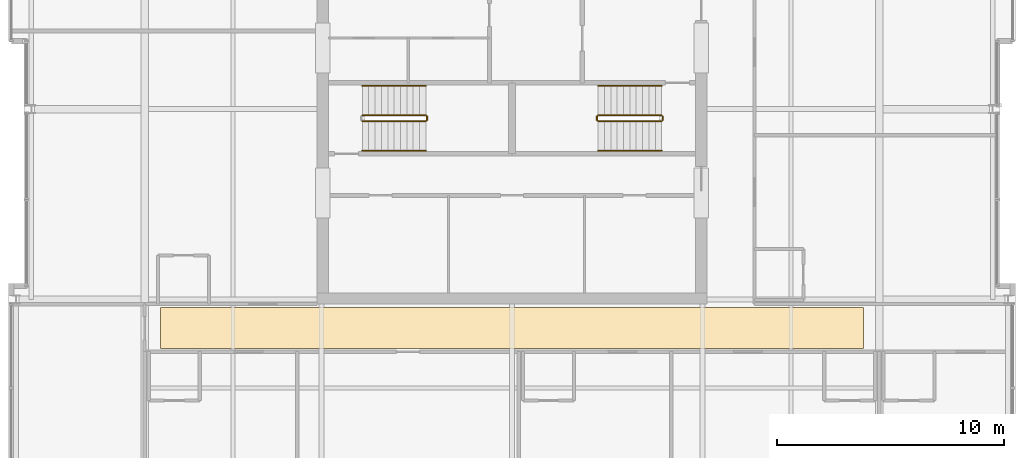
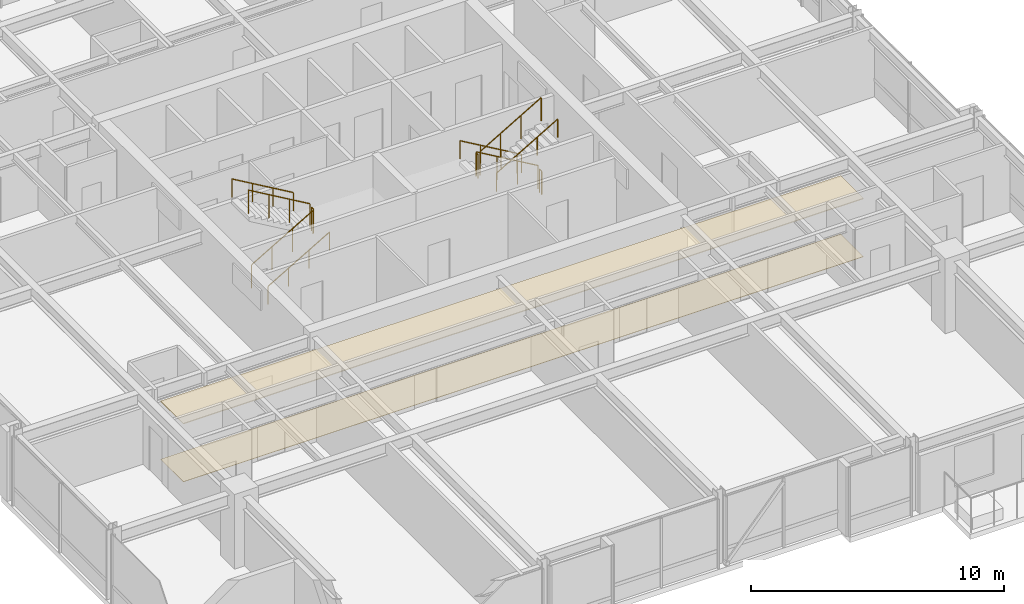
# One storey, part 31 of 32: 11 railings, 2 coverings.
"""IFC4 building model written with IfcOpenShell, lengths in metres."""

from ifc_helpers import new_model, si_unit, direction, frame, origin, origin_2d, place, context, subcontext, project, spatial, polyline, circle, outline, extrude, material, layer, layer_set, type_object, element, save


model = new_model("IFC4")

# Units and contexts
model_context = context("Model", 3, precision=1e-05, world=origin(), true_north=direction((0.0, 1.0)))
body_context = subcontext(model_context, "Body", "Model", "MODEL_VIEW")
ifc_project = project(units=[si_unit("LENGTHUNIT", "METRE"), si_unit("AREAUNIT", "SQUARE_METRE"), si_unit("VOLUMEUNIT", "CUBIC_METRE"), si_unit("PLANEANGLEUNIT", "RADIAN"), si_unit("MASSUNIT", "GRAM", prefix="KILO")], contexts=[model_context])

# Site, building, storey
site_placement = place(None, origin())
site = spatial("IfcSite", under=ifc_project, at=site_placement, CompositionType="ELEMENT")
building_placement = place(site_placement, origin())
building = spatial("IfcBuilding", under=site, at=building_placement, Name="Drelvath Grand Hotel", CompositionType="ELEMENT")
storey_placement = place(building_placement, frame((0.0, 0.0, 241.10009765625)))
storey = spatial("IfcBuildingStorey", under=building, at=storey_placement, Name="L63", CompositionType="ELEMENT", Elevation=241.10009765625)

# Railings
ifc_material_1 = material(Name="Painted Steel S275", Category="steel")
railing_type_1 = type_object("IfcRailingType", Name="Core Stair Wall Handrail 900", PredefinedType="HANDRAIL", material=ifc_material_1)
railing_1_placement = place(storey_placement, frame((-6.60009765625, 25.169921875, 0.16357421875)))
element("IfcRailing", 1, at=railing_1_placement, inside=storey, type_object=railing_type_1, Name="L63 ST-1 stair handrail 1", PredefinedType="HANDRAIL", context=body_context, shape_type="SweptSolid", body=[
    extrude(circle(Radius=0.02392578125, at=origin_2d()), frame((0.0, 0.0, 0.8759765625), z_axis=(0.863393664356, 0.0, 0.504530851732), x_axis=(0.0, 1.0, 0.0)), (0.0, 0.0, 1.0), 3.2431640625),
    extrude(circle(Radius=0.02099609375, at=origin_2d()), origin(), (0.0, 0.0, 1.0), 0.851806640625),
    extrude(circle(Radius=0.02099609375, at=origin_2d()), frame((0.933349609375, 0.0, 0.54541015625)), (0.0, 0.0, 1.0), 0.851806640625),
    extrude(circle(Radius=0.02099609375, at=origin_2d()), frame((1.86669921875, 0.0, 1.0908203125)), (0.0, 0.0, 1.0), 0.851806640625),
    extrude(circle(Radius=0.02099609375, at=origin_2d()), frame((2.800048828125, 0.0, 1.63623046875)), (0.0, 0.0, 1.0), 0.851806640625),
])
for number, where, name in (
    (2, (-3.800048828125, 28.030029296875, 1.963623046875), "L63 ST-1 stair handrail 2"),
    (3, (6.60009765625, 28.030029296875, 0.16357421875), "L63 ST-2 stair handrail 1"),
):
    element("IfcRailing", number, at=place(storey_placement, frame(where)), inside=storey, type_object=railing_type_1, Name=name, PredefinedType="HANDRAIL", context=body_context, shape_type="SweptSolid", body=[
        extrude(circle(Radius=0.02392578125, at=origin_2d()), frame((0.0, 0.0, 0.8759765625), z_axis=(-0.863393664356, 0.0, 0.504530851732), x_axis=(0.0, -1.0, 0.0)), (0.0, 0.0, 1.0), 3.2431640625),
        extrude(circle(Radius=0.02099609375, at=origin_2d()), origin(), (0.0, 0.0, 1.0), 0.851806640625),
        extrude(circle(Radius=0.02099609375, at=origin_2d()), frame((-0.933349609375, 0.0, 0.54541015625)), (0.0, 0.0, 1.0), 0.851806640625),
        extrude(circle(Radius=0.02099609375, at=origin_2d()), frame((-1.86669921875, 0.0, 1.0908203125)), (0.0, 0.0, 1.0), 0.851806640625),
        extrude(circle(Radius=0.02099609375, at=origin_2d()), frame((-2.800048828125, 0.0, 1.63623046875)), (0.0, 0.0, 1.0), 0.851806640625),
    ])
railing_2_placement = place(storey_placement, frame((3.800048828125, 25.169921875, 1.963623046875)))
element("IfcRailing", 4, at=railing_2_placement, inside=storey, type_object=railing_type_1, Name="L63 ST-2 stair handrail 2", PredefinedType="HANDRAIL", context=body_context, shape_type="SweptSolid", body=[
    extrude(circle(Radius=0.02392578125, at=origin_2d()), frame((0.0, 0.0, 0.8759765625), z_axis=(0.863393664356, 0.0, 0.504530851732), x_axis=(0.0, 1.0, 0.0)), (0.0, 0.0, 1.0), 3.2431640625),
    extrude(circle(Radius=0.02099609375, at=origin_2d()), origin(), (0.0, 0.0, 1.0), 0.851806640625),
    extrude(circle(Radius=0.02099609375, at=origin_2d()), frame((0.933349609375, 0.0, 0.54541015625)), (0.0, 0.0, 1.0), 0.851806640625),
    extrude(circle(Radius=0.02099609375, at=origin_2d()), frame((1.86669921875, 0.0, 1.0908203125)), (0.0, 0.0, 1.0), 0.851806640625),
    extrude(circle(Radius=0.02099609375, at=origin_2d()), frame((2.800048828125, 0.0, 1.63623046875)), (0.0, 0.0, 1.0), 0.851806640625),
])
railing_type_2 = type_object("IfcRailingType", Name="Core Stair Well Guardrail 1100", PredefinedType="GUARDRAIL", material=ifc_material_1)
railing_3_placement = place(storey_placement, frame((-6.60009765625, 26.469970703125, 0.16357421875)))
element("IfcRailing", 5, at=railing_3_placement, inside=storey, type_object=railing_type_2, Name="L63 ST-1 stair guard 1", PredefinedType="GUARDRAIL", context=body_context, shape_type="SweptSolid", body=[
    extrude(circle(Radius=0.02392578125, at=origin_2d()), frame((0.0, 0.0, 1.1259765625), z_axis=(0.863393664356, 0.0, 0.504530851732), x_axis=(0.0, 1.0, 0.0)), (0.0, 0.0, 1.0), 3.2431640625),
    extrude(circle(Radius=0.02099609375, at=origin_2d()), origin(), (0.0, 0.0, 1.0), 1.101806640625),
    extrude(circle(Radius=0.02099609375, at=origin_2d()), frame((0.933349609375, 0.0, 0.54541015625)), (0.0, 0.0, 1.0), 1.101806640625),
    extrude(circle(Radius=0.02099609375, at=origin_2d()), frame((1.86669921875, 0.0, 1.0908203125)), (0.0, 0.0, 1.0), 1.101806640625),
    extrude(circle(Radius=0.02099609375, at=origin_2d()), frame((2.800048828125, 0.0, 1.63623046875)), (0.0, 0.0, 1.0), 1.101806640625),
])
railing_4_placement = place(storey_placement, frame((-3.75, 26.52001953125, 1.7998046875)))
element("IfcRailing", 6, at=railing_4_placement, inside=storey, type_object=railing_type_2, Name="L63 ST-1 stair guard 2", PredefinedType="GUARDRAIL", context=body_context, shape_type="SweptSolid", body=[
    extrude(circle(Radius=0.02392578125, at=origin_2d()), frame((0.0, 0.0, 1.1259765625), z_axis=(0.0, 1.0, 0.0), x_axis=(-1.0, 0.0, 0.0)), (0.0, 0.0, 1.0), 0.159912109375),
    extrude(circle(Radius=0.02099609375, at=origin_2d()), origin(), (0.0, 0.0, 1.0), 1.101806640625),
    extrude(circle(Radius=0.02099609375, at=origin_2d()), frame((0.0, 0.159912109375, 0.0)), (0.0, 0.0, 1.0), 1.101806640625),
])
for number, where, name in (
    (7, (-3.800048828125, 26.72998046875, 1.963623046875), "L63 ST-1 stair guard 3"),
    (8, (6.60009765625, 26.72998046875, 0.16357421875), "L63 ST-2 stair guard 1"),
):
    element("IfcRailing", number, at=place(storey_placement, frame(where)), inside=storey, type_object=railing_type_2, Name=name, PredefinedType="GUARDRAIL", context=body_context, shape_type="SweptSolid", body=[
        extrude(circle(Radius=0.02392578125, at=origin_2d()), frame((0.0, 0.0, 1.1259765625), z_axis=(-0.863393664356, 0.0, 0.504530851732), x_axis=(0.0, -1.0, 0.0)), (0.0, 0.0, 1.0), 3.2431640625),
        extrude(circle(Radius=0.02099609375, at=origin_2d()), origin(), (0.0, 0.0, 1.0), 1.101806640625),
        extrude(circle(Radius=0.02099609375, at=origin_2d()), frame((-0.933349609375, 0.0, 0.54541015625)), (0.0, 0.0, 1.0), 1.101806640625),
        extrude(circle(Radius=0.02099609375, at=origin_2d()), frame((-1.86669921875, 0.0, 1.0908203125)), (0.0, 0.0, 1.0), 1.101806640625),
        extrude(circle(Radius=0.02099609375, at=origin_2d()), frame((-2.800048828125, 0.0, 1.63623046875)), (0.0, 0.0, 1.0), 1.101806640625),
    ])
railing_5_placement = place(storey_placement, frame((3.75, 26.679931640625, 1.7998046875)))
element("IfcRailing", 9, at=railing_5_placement, inside=storey, type_object=railing_type_2, Name="L63 ST-2 stair guard 2", PredefinedType="GUARDRAIL", context=body_context, shape_type="SweptSolid", body=[
    extrude(circle(Radius=0.02392578125, at=origin_2d()), frame((0.0, 0.0, 1.1259765625), z_axis=(0.0, -1.0, 0.0), x_axis=(1.0, 0.0, 0.0)), (0.0, 0.0, 1.0), 0.159912109375),
    extrude(circle(Radius=0.02099609375, at=origin_2d()), origin(), (0.0, 0.0, 1.0), 1.101806640625),
    extrude(circle(Radius=0.02099609375, at=origin_2d()), frame((0.0, -0.159912109375, 0.0)), (0.0, 0.0, 1.0), 1.101806640625),
])
railing_6_placement = place(storey_placement, frame((3.800048828125, 26.469970703125, 1.963623046875)))
element("IfcRailing", 10, at=railing_6_placement, inside=storey, type_object=railing_type_2, Name="L63 ST-2 stair guard 3", PredefinedType="GUARDRAIL", context=body_context, shape_type="SweptSolid", body=[
    extrude(circle(Radius=0.02392578125, at=origin_2d()), frame((0.0, 0.0, 1.1259765625), z_axis=(0.863393664356, 0.0, 0.504530851732), x_axis=(0.0, 1.0, 0.0)), (0.0, 0.0, 1.0), 3.2431640625),
    extrude(circle(Radius=0.02099609375, at=origin_2d()), origin(), (0.0, 0.0, 1.0), 1.101806640625),
    extrude(circle(Radius=0.02099609375, at=origin_2d()), frame((0.933349609375, 0.0, 0.54541015625)), (0.0, 0.0, 1.0), 1.101806640625),
    extrude(circle(Radius=0.02099609375, at=origin_2d()), frame((1.86669921875, 0.0, 1.0908203125)), (0.0, 0.0, 1.0), 1.101806640625),
    extrude(circle(Radius=0.02099609375, at=origin_2d()), frame((2.800048828125, 0.0, 1.63623046875)), (0.0, 0.0, 1.0), 1.101806640625),
])
railing_7_placement = place(storey_placement, frame((6.64990234375, 26.679931640625, 0.0)))
element("IfcRailing", 11, at=railing_7_placement, inside=storey, type_object=railing_type_2, Name="L63 ST-2 stair guard 4", PredefinedType="GUARDRAIL", context=body_context, shape_type="SweptSolid", body=[
    extrude(circle(Radius=0.02392578125, at=origin_2d()), frame((0.0, 0.0, 1.1259765625), z_axis=(0.0, -1.0, 0.0), x_axis=(1.0, 0.0, 0.0)), (0.0, 0.0, 1.0), 0.159912109375),
    extrude(circle(Radius=0.02099609375, at=origin_2d()), origin(), (0.0, 0.0, 1.0), 1.101806640625),
    extrude(circle(Radius=0.02099609375, at=origin_2d()), frame((0.0, -0.159912109375, 0.0)), (0.0, 0.0, 1.0), 1.101806640625),
])

# Coverings
ifc_material_2 = material(Name="Woven Wool Broadloom Carpet")
ifc_layer_1 = layer(ifc_material_2, 0.01806640625)
ifc_layer_set_1 = layer_set([ifc_layer_1], Name="Woven Wool Broadloom Carpet")
covering_type_1 = type_object("IfcCoveringType", Name="Hospitality Broadloom Carpet 18", PredefinedType="FLOORING", material=ifc_layer_set_1)
covering_1_placement = place(storey_placement, origin())
element("IfcCovering", 12, at=covering_1_placement, inside=storey, type_object=covering_type_1, Name="L63 Upper Gallery Carpet", PredefinedType="FLOORING", context=body_context, shape_type="SweptSolid", body=[
    extrude(outline(polyline([(15.5, 16.449951171875), (15.5, 18.25), (-15.5, 18.25), (-15.5, 16.449951171875), (15.5, 16.449951171875)])), origin(), (0.0, 0.0, 1.0), 0.017822265625),
])
ifc_material_3 = material(Name="Anodised Aluminium Alloy", Category="aluminium")
ifc_layer_2 = layer(ifc_material_3, 0.0400390625)
ifc_layer_set_2 = layer_set([ifc_layer_2], Name="Anodised Aluminium Alloy")
covering_type_2 = type_object("IfcCoveringType", Name="Perforated Metal Corridor Ceiling 40", PredefinedType="CEILING", material=ifc_layer_set_2)
covering_2_placement = place(storey_placement, frame((0.0, 0.0, 2.789794921875)))
element("IfcCovering", 13, at=covering_2_placement, inside=storey, type_object=covering_type_2, Name="L63 Upper Gallery Ceiling", PredefinedType="CEILING", context=body_context, shape_type="SweptSolid", body=[
    extrude(outline(polyline([(15.5, 16.449951171875), (15.5, 18.25), (-15.5, 18.25), (-15.5, 16.449951171875), (15.5, 16.449951171875)])), origin(), (0.0, 0.0, 1.0), 0.0400390625),
])

save(model, "model.ifc")
